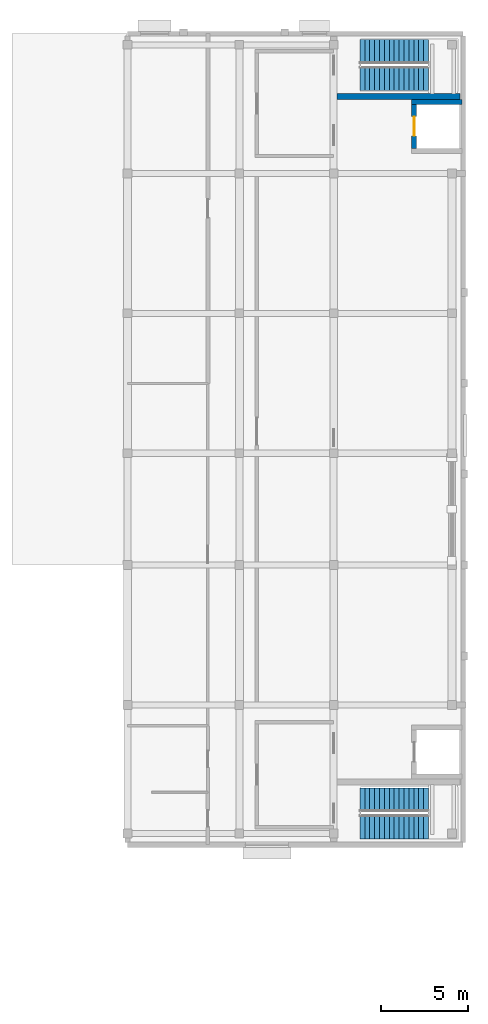
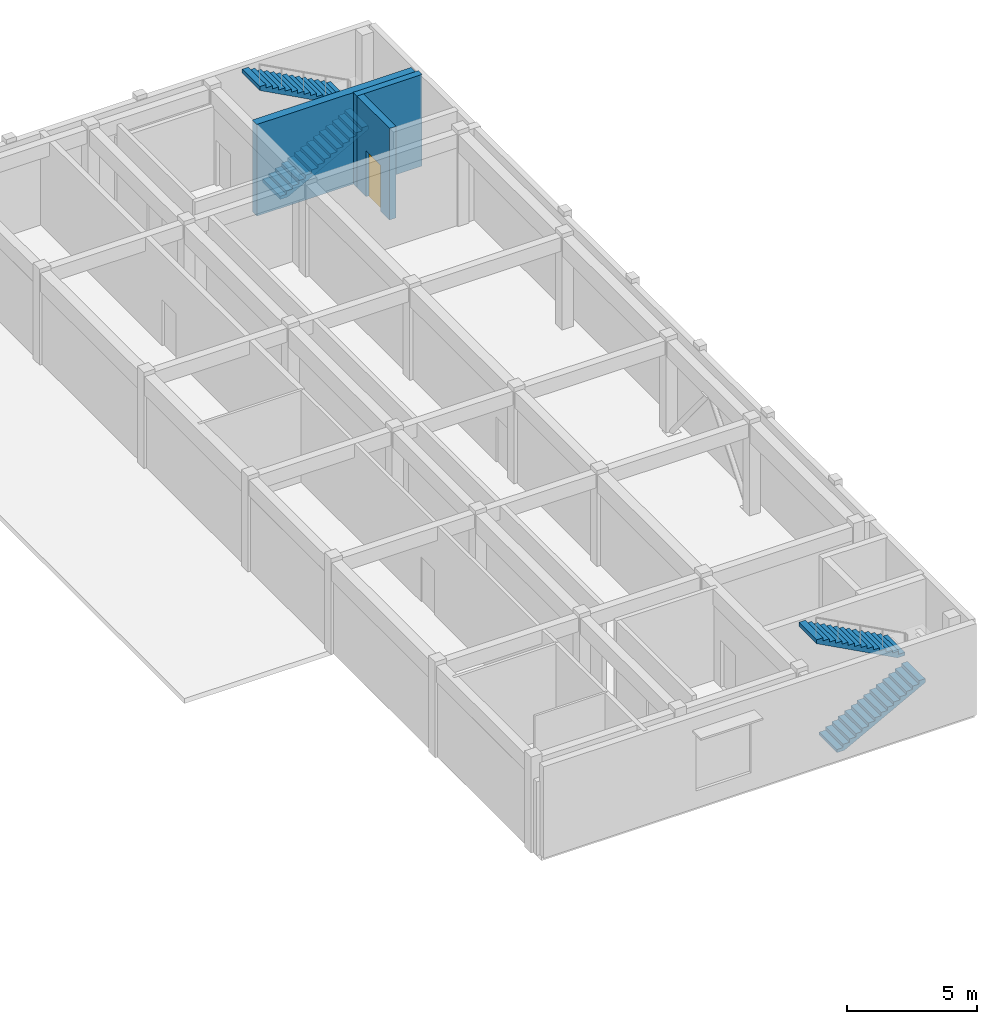
# One storey, part 8 of 11: 4 stair flights, 3 walls, 1 door, 1 opening, 2 elements without a shape of their own.
"""IFC4 building model written with IfcOpenShell, lengths in metres."""

from ifc_helpers import new_model, si_unit, direction, frame, frame_2d, origin, place, context, subcontext, project, spatial, polyline, rectangle, outline, extrude, material, layer, layer_set, type_object, element, fill, aggregate, save


model = new_model("IFC4")

# Units and contexts
model_context = context("Model", 3, precision=1e-05, world=origin(), true_north=direction((0.0, 1.0)))
body_context = subcontext(model_context, "Body", "Model", "MODEL_VIEW")
ifc_project = project(units=[si_unit("LENGTHUNIT", "METRE"), si_unit("AREAUNIT", "SQUARE_METRE"), si_unit("VOLUMEUNIT", "CUBIC_METRE"), si_unit("PLANEANGLEUNIT", "RADIAN"), si_unit("MASSUNIT", "GRAM", prefix="KILO")], contexts=[model_context])

# Site, building, storey
site_placement = place(None, origin())
site = spatial("IfcSite", under=ifc_project, at=site_placement, CompositionType="ELEMENT")
building_placement = place(site_placement, origin())
building = spatial("IfcBuilding", under=site, at=building_placement, Name="Cinchona Park Media Centre", CompositionType="ELEMENT")
storey_placement = place(building_placement, frame((0.0, 0.0, 24.89990234375)))
storey = spatial("IfcBuildingStorey", under=building, at=storey_placement, Name="L05", CompositionType="ELEMENT", Elevation=24.89990234375)

# Walls
ifc_material_1 = material(Name="Concrete C40/50", Category="concrete")
ifc_layer_1 = layer(ifc_material_1, 0.35009765625)
ifc_layer_set_1 = layer_set([ifc_layer_1], Name="Concrete C40/50")
wall_type_1 = type_object("IfcWallType", Name="WALL-W-CR350", PredefinedType="SHEAR", material=ifc_layer_set_1)
wall_1_placement = place(storey_placement, frame((164.77490234375, 114.39990234375, 0.0), z_axis=(0.0, 0.0, 1.0), x_axis=(1.0, 0.0, 0.0)))
element("IfcWall", 1, at=wall_1_placement, inside=storey, type_object=wall_type_1, Name="Core Shear Wall W-CR350 L05", PredefinedType="SHEAR", context=body_context, shape_type="SweptSolid", body=[
    extrude(rectangle(XDim=7.050048828125, YDim=0.35009765625, at=frame_2d((3.52490234375, 0.0))), origin(), (0.0, 0.0, 1.0), 4.300048828125),
])
ifc_material_2 = material(Name="Concrete C40/50", Category="concrete")
ifc_layer_2 = layer(ifc_material_2, 0.2900390625)
ifc_layer_set_2 = layer_set([ifc_layer_2], Name="Concrete C40/50")
wall_type_2 = type_object("IfcWallType", Name="WALL-W-SH290", PredefinedType="SHEAR", material=ifc_layer_set_2)
wall_2_placement = place(storey_placement, frame((169.054931640625, 114.10009765625, 0.0), z_axis=(0.0, 0.0, 1.0), x_axis=(1.0, 0.0, 0.0)))
element("IfcWall", 2, at=wall_2_placement, inside=storey, type_object=wall_type_2, Name="Core Shear Wall W-SH290 L05", PredefinedType="SHEAR", context=body_context, shape_type="SweptSolid", body=[
    extrude(rectangle(XDim=2.89013671875, YDim=0.2900390625, at=frame_2d((1.445068359375, 0.0))), origin(), (0.0, 0.0, 1.0), 4.300048828125),
])

# Wall, opening, door
wall_3_placement = place(storey_placement, frame((169.199951171875, 111.445068359375, 0.0), z_axis=(0.0, 0.0, 1.0), x_axis=(0.0, 1.0, 0.0)))
wall_3 = element("IfcWall", 3, at=wall_3_placement, inside=storey, type_object=wall_type_2, Name="Core Shear Wall W-SH290 L05", PredefinedType="SHEAR", context=body_context, shape_type="SweptSolid", body=[
    extrude(rectangle(XDim=2.510009765625, YDim=0.2900390625, at=frame_2d((1.2548828125, 0.0))), origin(), (0.0, 0.0, 1.0), 4.300048828125),
])
opening_placement = place(wall_3_placement, frame((0.705078125, 0.0, 0.0)))
opening = element("IfcOpeningElement", 4, at=opening_placement, cuts=wall_3, Name="Opening LD41", PredefinedType="OPENING", context=body_context, shape_type="SweptSolid", body=[
    extrude(rectangle(XDim=1.10009765625, YDim=2.14990234375, at=frame_2d((0.550048828125, 1.074951171875))), frame((0.0, 0.155029296875, 0.0), z_axis=(0.0, -1.0, 0.0), x_axis=(1.0, 0.0, 0.0)), (0.0, 0.0, 1.0), 0.31005859375),
])
ifc_material_3 = material(Name="Stainless Steel Sliding Lift Landing Door", Category="steel")
door_type = type_object("IfcDoorType", Name="DOOR-DT-LD1", OperationType="NOTDEFINED", PredefinedType="DOOR", material=ifc_material_3)
door_placement = place(opening_placement, origin())
door = element("IfcDoor", 5, at=door_placement, inside=storey, type_object=door_type, Name="Lift Landing Door LD41", OperationType="SLIDING_TO_LEFT", OverallHeight=2.14990234375, OverallWidth=1.10009765625, PredefinedType="DOOR", context=body_context, shape_type="SweptSolid", body=[
    extrude(rectangle(XDim=1.10009765625, YDim=2.14990234375, at=frame_2d((0.550048828125, 1.074951171875))), frame((0.0, 0.02490234375, 0.0), z_axis=(0.0, -1.0, 0.0), x_axis=(1.0, 0.0, 0.0)), (0.0, 0.0, 1.0), 0.050048828125),
])
fill(opening, door)

# Stair, stair flights
ifc_material_4 = material(Name="Concrete C35/45", Category="concrete")
stair_type_1 = type_object("IfcStairType", Name="STAIR-ST1-HT45", PredefinedType="HALF_TURN_STAIR", material=ifc_material_4)
stair_1_placement = place(storey_placement, origin())
stair_1 = element("IfcStair", 6, at=stair_1_placement, inside=storey, type_object=stair_type_1, Name="Exit Stair ST1 L05", PredefinedType="HALF_TURN_STAIR")
ifc_material_5 = material(Name="Concrete C35/45", Category="concrete")
stair_flight_type_1 = type_object("IfcStairFlightType", Name="FLIGHT-ST1", PredefinedType="STRAIGHT", material=ifc_material_5)
stair_flight_1_placement = place(storey_placement, frame((166.10009765625, 72.6201171875, 0.0), z_axis=(0.0, 0.0, 1.0), x_axis=(1.0, 0.0, 0.0)))
stair_flight_1 = element("IfcStairFlight", 7, at=stair_flight_1_placement, type_object=stair_flight_type_1, Name="ST1 flight 1", NumberOfRisers=15, NumberOfTreads=14, PredefinedType="STRAIGHT", RiserHeight=0.15, TreadLength=0.28, context=body_context, shape_type="SweptSolid", body=[
    extrude(outline(polyline([(0.0, 0.0), (0.0, 0.14990234375), (0.280029296875, 0.14990234375), (0.280029296875, 0.300048828125), (0.56005859375, 0.300048828125), (0.56005859375, 0.449951171875), (0.840087890625, 0.449951171875), (0.840087890625, 0.60009765625), (1.1201171875, 0.60009765625), (1.1201171875, 0.75), (1.39990234375, 0.75), (1.39990234375, 0.89990234375), (1.679931640625, 0.89990234375), (1.679931640625, 1.050048828125), (1.9599609375, 1.050048828125), (1.9599609375, 1.199951171875), (2.239990234375, 1.199951171875), (2.239990234375, 1.35009765625), (2.52001953125, 1.35009765625), (2.52001953125, 1.5), (2.800048828125, 1.5), (2.800048828125, 1.64990234375), (3.080078125, 1.64990234375), (3.080078125, 1.800048828125), (3.360107421875, 1.800048828125), (3.360107421875, 1.949951171875), (3.639892578125, 1.949951171875), (3.639892578125, 2.10009765625), (3.919921875, 2.10009765625), (3.919921875, 2.25), (3.919921875, 1.918701171875), (0.338623046875, 0.0), (0.0, 0.0)])), frame((0.0, 0.68017578125, 0.0), z_axis=(0.0, -1.0, 0.0), x_axis=(1.0, 0.0, 0.0)), (0.0, 0.0, 1.0), 1.360107421875),
])
stair_flight_2_placement = place(storey_placement, frame((170.02001953125, 74.179931640625, 2.25), z_axis=(0.0, 0.0, 1.0), x_axis=(-1.0, 0.0, 0.0)))
stair_flight_2 = element("IfcStairFlight", 8, at=stair_flight_2_placement, type_object=stair_flight_type_1, Name="ST1 flight 2", NumberOfRisers=15, NumberOfTreads=14, PredefinedType="STRAIGHT", RiserHeight=0.15, TreadLength=0.28, context=body_context, shape_type="SweptSolid", body=[
    extrude(outline(polyline([(0.0, 0.0), (0.0, 0.14990234375), (0.280029296875, 0.14990234375), (0.280029296875, 0.300048828125), (0.56005859375, 0.300048828125), (0.56005859375, 0.449951171875), (0.840087890625, 0.449951171875), (0.840087890625, 0.60009765625), (1.1201171875, 0.60009765625), (1.1201171875, 0.75), (1.39990234375, 0.75), (1.39990234375, 0.89990234375), (1.679931640625, 0.89990234375), (1.679931640625, 1.050048828125), (1.9599609375, 1.050048828125), (1.9599609375, 1.199951171875), (2.239990234375, 1.199951171875), (2.239990234375, 1.35009765625), (2.52001953125, 1.35009765625), (2.52001953125, 1.5), (2.800048828125, 1.5), (2.800048828125, 1.64990234375), (3.080078125, 1.64990234375), (3.080078125, 1.800048828125), (3.360107421875, 1.800048828125), (3.360107421875, 1.949951171875), (3.639892578125, 1.949951171875), (3.639892578125, 2.10009765625), (3.919921875, 2.10009765625), (3.919921875, 2.25), (3.919921875, 1.918701171875), (0.338623046875, 0.0), (0.0, 0.0)])), frame((0.0, 0.68017578125, 0.0), z_axis=(0.0, -1.0, 0.0), x_axis=(1.0, 0.0, 0.0)), (0.0, 0.0, 1.0), 1.360107421875),
])
aggregate(stair_1, [stair_flight_1, stair_flight_2])

ifc_material_6 = material(Name="Concrete C35/45", Category="concrete")
stair_type_2 = type_object("IfcStairType", Name="STAIR-ST2-HT45", PredefinedType="HALF_TURN_STAIR", material=ifc_material_6)
stair_2_placement = place(storey_placement, origin())
stair_2 = element("IfcStair", 9, at=stair_2_placement, inside=storey, type_object=stair_type_2, Name="Exit Stair ST2 L05", PredefinedType="HALF_TURN_STAIR")
ifc_material_7 = material(Name="Concrete C35/45", Category="concrete")
stair_flight_type_2 = type_object("IfcStairFlightType", Name="FLIGHT-ST2", PredefinedType="STRAIGHT", material=ifc_material_7)
stair_flight_3_placement = place(storey_placement, frame((166.10009765625, 115.419921875, 0.0), z_axis=(0.0, 0.0, 1.0), x_axis=(1.0, 0.0, 0.0)))
stair_flight_3 = element("IfcStairFlight", 10, at=stair_flight_3_placement, type_object=stair_flight_type_2, Name="ST2 flight 1", NumberOfRisers=15, NumberOfTreads=14, PredefinedType="STRAIGHT", RiserHeight=0.15, TreadLength=0.28, context=body_context, shape_type="SweptSolid", body=[
    extrude(outline(polyline([(0.0, 0.0), (0.0, 0.14990234375), (0.280029296875, 0.14990234375), (0.280029296875, 0.300048828125), (0.56005859375, 0.300048828125), (0.56005859375, 0.449951171875), (0.840087890625, 0.449951171875), (0.840087890625, 0.60009765625), (1.1201171875, 0.60009765625), (1.1201171875, 0.75), (1.39990234375, 0.75), (1.39990234375, 0.89990234375), (1.679931640625, 0.89990234375), (1.679931640625, 1.050048828125), (1.9599609375, 1.050048828125), (1.9599609375, 1.199951171875), (2.239990234375, 1.199951171875), (2.239990234375, 1.35009765625), (2.52001953125, 1.35009765625), (2.52001953125, 1.5), (2.800048828125, 1.5), (2.800048828125, 1.64990234375), (3.080078125, 1.64990234375), (3.080078125, 1.800048828125), (3.360107421875, 1.800048828125), (3.360107421875, 1.949951171875), (3.639892578125, 1.949951171875), (3.639892578125, 2.10009765625), (3.919921875, 2.10009765625), (3.919921875, 2.25), (3.919921875, 1.918701171875), (0.338623046875, 0.0), (0.0, 0.0)])), frame((0.0, 0.68017578125, 0.0), z_axis=(0.0, -1.0, 0.0), x_axis=(1.0, 0.0, 0.0)), (0.0, 0.0, 1.0), 1.360107421875),
])
stair_flight_4_placement = place(storey_placement, frame((170.02001953125, 116.97998046875, 2.25), z_axis=(0.0, 0.0, 1.0), x_axis=(-1.0, 0.0, 0.0)))
stair_flight_4 = element("IfcStairFlight", 11, at=stair_flight_4_placement, type_object=stair_flight_type_2, Name="ST2 flight 2", NumberOfRisers=15, NumberOfTreads=14, PredefinedType="STRAIGHT", RiserHeight=0.15, TreadLength=0.28, context=body_context, shape_type="SweptSolid", body=[
    extrude(outline(polyline([(0.0, 0.0), (0.0, 0.14990234375), (0.280029296875, 0.14990234375), (0.280029296875, 0.300048828125), (0.56005859375, 0.300048828125), (0.56005859375, 0.449951171875), (0.840087890625, 0.449951171875), (0.840087890625, 0.60009765625), (1.1201171875, 0.60009765625), (1.1201171875, 0.75), (1.39990234375, 0.75), (1.39990234375, 0.89990234375), (1.679931640625, 0.89990234375), (1.679931640625, 1.050048828125), (1.9599609375, 1.050048828125), (1.9599609375, 1.199951171875), (2.239990234375, 1.199951171875), (2.239990234375, 1.35009765625), (2.52001953125, 1.35009765625), (2.52001953125, 1.5), (2.800048828125, 1.5), (2.800048828125, 1.64990234375), (3.080078125, 1.64990234375), (3.080078125, 1.800048828125), (3.360107421875, 1.800048828125), (3.360107421875, 1.949951171875), (3.639892578125, 1.949951171875), (3.639892578125, 2.10009765625), (3.919921875, 2.10009765625), (3.919921875, 2.25), (3.919921875, 1.918701171875), (0.338623046875, 0.0), (0.0, 0.0)])), frame((0.0, 0.68017578125, 0.0), z_axis=(0.0, -1.0, 0.0), x_axis=(1.0, 0.0, 0.0)), (0.0, 0.0, 1.0), 1.360107421875),
])
aggregate(stair_2, [stair_flight_3, stair_flight_4])

save(model, "model.ifc")
